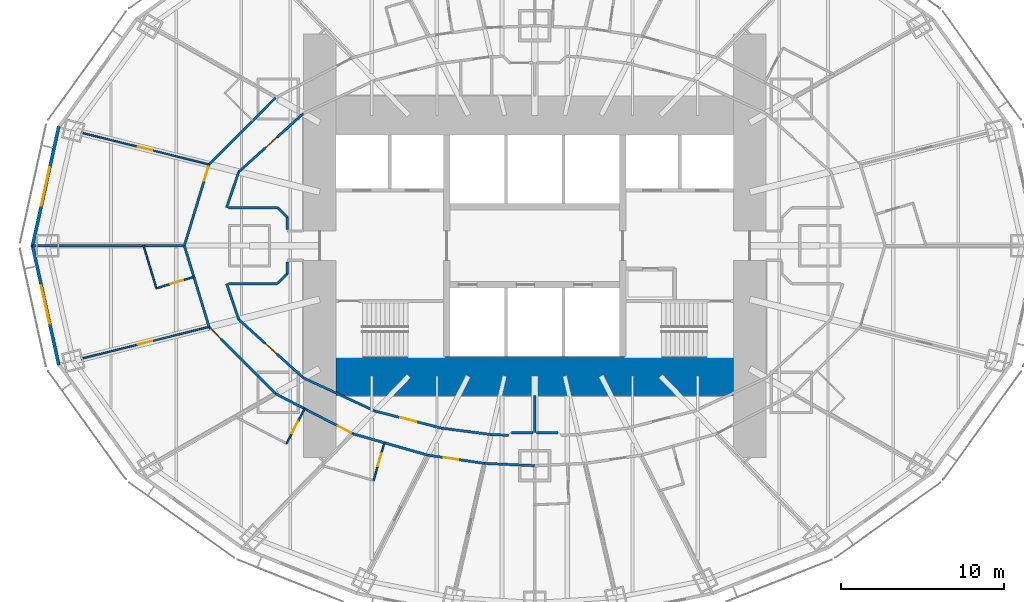
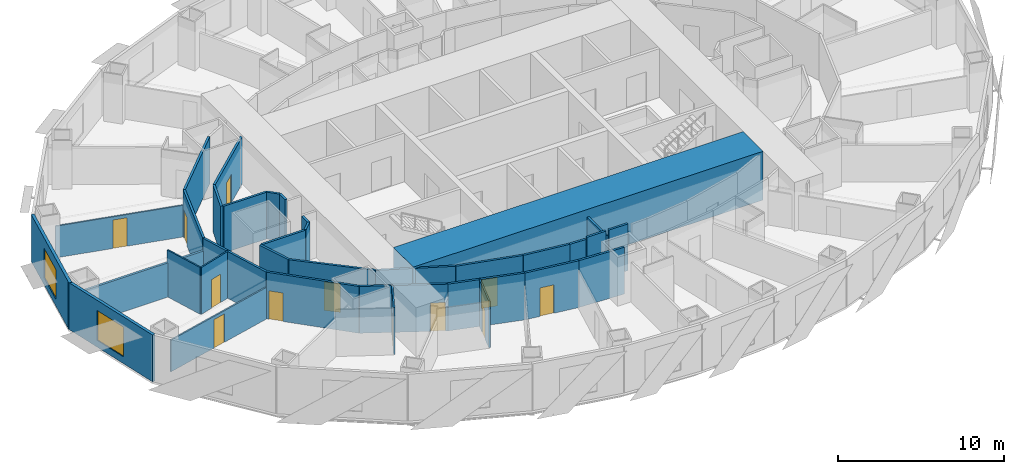
# One storey, part 5 of 15: 35 walls, 12 doors, 2 windows, 14 openings.
"""IFC4 building model written with IfcOpenShell, lengths in metres."""

import ifcopenshell
import ifcopenshell.guid

model = None  # the IFC model being written
_history = None  # IfcOwnerHistory: only IFC2X3 demands one
_inside = {}  # id of a spatial element -> (the spatial element, [elements in it])
_under = {}  # id of a project, library or spatial element -> (it, [spatial elements below it])
_declared = {}  # id of a project -> (the project, [libraries it declares])
_typed = {}  # id of a type object -> (the type object, [elements of that type])
_made_of = {}  # id of a material, layer set ... -> (it, [elements and type objects made of it])


def new_model(schema):
    """Start an empty IFC model of exactly this schema.

    Asked for "IFC4X3", IfcOpenShell would pick the latest addendum, in which some entities
    have other attributes; the version numbers below select the first issue.
    IFC2X3 requires an IfcOwnerHistory on every rooted entity: one is made here for all.
    """
    global model, _history
    if schema == "IFC4X3":
        model = ifcopenshell.file(schema_version=(4, 3, 0, 0))
    else:
        model = ifcopenshell.file(schema=schema)
    _inside.clear()
    _under.clear()
    _declared.clear()
    _typed.clear()
    _made_of.clear()
    _history = None
    if model.schema == "IFC2X3":
        org = make("IfcOrganization", Name="unknown")
        user = make(
            "IfcPersonAndOrganization",
            ThePerson=make("IfcPerson", FamilyName="unknown"),
            TheOrganization=org,
        )
        app = make(
            "IfcApplication",
            ApplicationDeveloper=org,
            Version="unknown",
            ApplicationFullName="unknown",
            ApplicationIdentifier="unknown",
        )
        _history = make(
            "IfcOwnerHistory",
            OwningUser=user,
            OwningApplication=app,
            ChangeAction="ADDED",
            CreationDate=0,
        )
    return model


def make(cls, **values):
    """One entity of the class cls with the attributes given. An attribute that is None is left unset."""
    return model.create_entity(
        cls, **{name: value for name, value in values.items() if value is not None}
    )


def rooted(cls, **values):
    """An entity with a GlobalId (a new one), such as an element, a storey or a relation."""
    return make(cls, GlobalId=ifcopenshell.guid.new(), OwnerHistory=_history, **values)


def si_unit(unit_type, name, prefix=None):
    """IfcSIUnit, for example si_unit("LENGTHUNIT", "METRE", prefix="MILLI")."""
    return make("IfcSIUnit", UnitType=unit_type, Prefix=prefix, Name=name)


def assignment(units):
    """IfcUnitAssignment: the units of a project."""
    return None if units is None else make("IfcUnitAssignment", Units=units)


def point(xyz):
    """IfcCartesianPoint."""
    return None if xyz is None else make("IfcCartesianPoint", Coordinates=xyz)


def direction(xyz):
    """IfcDirection."""
    return None if xyz is None else make("IfcDirection", DirectionRatios=xyz)


def frame(location, z_axis=None, x_axis=None):
    """IfcAxis2Placement3D, a coordinate frame: its origin and axes. An axis left out is left unset."""
    return make(
        "IfcAxis2Placement3D",
        Location=point(location),
        Axis=direction(z_axis),
        RefDirection=direction(x_axis),
    )


def frame_2d(location, x_axis=None):
    """IfcAxis2Placement2D, a coordinate frame in the plane: its origin and x axis."""
    return make(
        "IfcAxis2Placement2D", Location=point(location), RefDirection=direction(x_axis)
    )


def origin():
    """The frame at (0, 0, 0) with its axes left unset."""
    return frame((0.0, 0.0, 0.0))


def place(relative_to, where):
    """IfcLocalPlacement: puts the frame where relative to a parent placement (None: the world)."""
    return make(
        "IfcLocalPlacement", PlacementRelTo=relative_to, RelativePlacement=where
    )


def context(
    kind, dimensions, precision=None, world=None, true_north=None, identifier=None
):
    """IfcGeometricRepresentationContext, for example the 3D "Model" context."""
    return make(
        "IfcGeometricRepresentationContext",
        ContextIdentifier=identifier,
        ContextType=kind,
        CoordinateSpaceDimension=dimensions,
        Precision=precision,
        WorldCoordinateSystem=world,
        TrueNorth=true_north,
    )


def subcontext(parent, identifier, kind, view, scale=None):
    """IfcGeometricRepresentationSubContext, for example "Body" below "Model"."""
    return make(
        "IfcGeometricRepresentationSubContext",
        ContextIdentifier=identifier,
        ContextType=kind,
        ParentContext=parent,
        TargetScale=scale,
        TargetView=view,
    )


def project(units=None, contexts=None):
    """IfcProject with its units and contexts."""
    return rooted(
        "IfcProject",
        Name="project",
        RepresentationContexts=contexts,
        UnitsInContext=assignment(units),
    )


def spatial(cls, under=None, at=None, **own):
    """A site, building, storey or space (cls), placed at a placement, below another one or the project."""
    s = rooted(cls, ObjectPlacement=at, **own)
    if under is not None:
        _under.setdefault(under.id(), (under, []))[1].append(s)
    return s


def profile(cls, at=None, kind="AREA", **sizes):
    """A parametric profile (cls). Its sizes go by their IFC names, for example OverallWidth=200.0."""
    return make(cls, ProfileType=kind, Position=at, **sizes)


def rectangle(**sizes):
    """IfcRectangleProfileDef."""
    return profile("IfcRectangleProfileDef", **sizes)


def extrude(swept, where, along, depth):
    """IfcExtrudedAreaSolid: the profile swept, set in the frame where, extruded along a direction by depth."""
    return make(
        "IfcExtrudedAreaSolid",
        SweptArea=swept,
        Position=where,
        ExtrudedDirection=direction(along),
        Depth=depth,
    )


def shape(context_of_items, identifier, shape_type, items):
    """IfcShapeRepresentation: the items that make up one representation, for example the "Body"."""
    return make(
        "IfcShapeRepresentation",
        ContextOfItems=context_of_items,
        RepresentationIdentifier=identifier,
        RepresentationType=shape_type,
        Items=items,
    )


def material(Name=None, Category=None):
    """IfcMaterial."""
    return make("IfcMaterial", Name=Name, Category=Category)


def layer(
    of_material, thickness, ventilated=None, Name=None, Category=None, Priority=None
):
    """IfcMaterialLayer: one layer of a wall or slab, of a material (None: an air gap)."""
    return make(
        "IfcMaterialLayer",
        Material=of_material,
        LayerThickness=thickness,
        IsVentilated=ventilated,
        Name=Name,
        Category=Category,
        Priority=Priority,
    )


def layer_set(layers, Name=None):
    """IfcMaterialLayerSet."""
    return make("IfcMaterialLayerSet", MaterialLayers=layers, LayerSetName=Name)


def made_of(thing, what):
    """Note that an element or type object is made of a material, layer set ...; save() writes the relation."""
    if what is not None:
        _made_of.setdefault(what.id(), (what, []))[1].append(thing)
    return thing


def type_object(cls, material=None, **own):
    """A type object (cls), such as IfcWallType, which elements share."""
    return made_of(rooted(cls, **own), material)


def element(
    cls,
    number,
    at=None,
    inside=None,
    cuts=None,
    type_object=None,
    material=None,
    context=None,
    identifier="Body",
    shape_type=None,
    held_by="IfcProductDefinitionShape",
    body=None,
    shapes=None,
    **own,
):
    """One element of the class cls, such as IfcWall. Its Tag is "e" and its number.

    at: its placement. inside: the storey or other place that contains it. cuts: it is an
    opening in that element (IfcRelVoidsElement). A single representation is given by context,
    identifier, shape_type and body (its items); several are given by shapes. held_by: the class
    of the entity that holds the representations. save() writes the other relations.
    """
    e = rooted(cls, Tag="e%d" % number, ObjectPlacement=at, **own)
    if body is not None:
        shapes = [shape(context, identifier, shape_type, body)]
    if shapes is not None:
        e.Representation = make(held_by, Representations=shapes)
    if inside is not None:
        _inside.setdefault(inside.id(), (inside, []))[1].append(e)
    if cuts is not None:
        rooted(
            "IfcRelVoidsElement", RelatingBuildingElement=cuts, RelatedOpeningElement=e
        )
    if type_object is not None:
        _typed.setdefault(type_object.id(), (type_object, []))[1].append(e)
    return made_of(e, material)


def fill(opening, filler):
    """IfcRelFillsElement: the door or window that sits in an opening."""
    return rooted(
        "IfcRelFillsElement",
        RelatingOpeningElement=opening,
        RelatedBuildingElement=filler,
    )


def aggregate(whole, parts):
    """IfcRelAggregates: a whole, such as a stair, and the parts it consists of."""
    return rooted("IfcRelAggregates", RelatingObject=whole, RelatedObjects=parts)


def save(model, path):
    """Write the relations noted so far, then the file.

    IfcRelAggregates (storeys below a building ...), IfcRelContainedInSpatialStructure (elements
    in a storey), IfcRelDefinesByType, IfcRelAssociatesMaterial and IfcRelDeclares: one each for
    every whole, place, type object, material and project.
    """
    for whole, parts in _under.values():
        aggregate(whole, parts)
    for where, things in _inside.values():
        rooted(
            "IfcRelContainedInSpatialStructure",
            RelatedElements=things,
            RelatingStructure=where,
        )
    for kind, things in _typed.values():
        rooted("IfcRelDefinesByType", RelatedObjects=things, RelatingType=kind)
    for what, things in _made_of.values():
        rooted("IfcRelAssociatesMaterial", RelatedObjects=things, RelatingMaterial=what)
    for by, libraries in _declared.values():
        rooted("IfcRelDeclares", RelatingContext=by, RelatedDefinitions=libraries)
    model.write(path)


model = new_model("IFC4")

# Units and contexts
model_context = context("Model", 3, precision=1e-05, world=origin(), true_north=direction((0.0, 1.0)))
body_context = subcontext(model_context, "Body", "Model", "MODEL_VIEW")
ifc_project = project(units=[si_unit("LENGTHUNIT", "METRE"), si_unit("AREAUNIT", "SQUARE_METRE"), si_unit("VOLUMEUNIT", "CUBIC_METRE"), si_unit("PLANEANGLEUNIT", "RADIAN"), si_unit("MASSUNIT", "GRAM", prefix="KILO")], contexts=[model_context])

# Site, building, storey
site_placement = place(None, origin())
site = spatial("IfcSite", under=ifc_project, at=site_placement, CompositionType="ELEMENT")
building_placement = place(site_placement, origin())
building = spatial("IfcBuilding", under=site, at=building_placement, Name="Lantaw Convention Tower", CompositionType="ELEMENT")
storey_placement = place(building_placement, frame((0.0, 0.0, 47.800048828125)))
storey = spatial("IfcBuildingStorey", under=building, at=storey_placement, Name="L09", CompositionType="ELEMENT", Elevation=47.800048828125)

# Wall
ifc_material_1 = material(Name="Gypsum board on steel studs", Category="steel")
ifc_layer_1 = layer(ifc_material_1, 0.14990234375)
ifc_layer_set_1 = layer_set([ifc_layer_1], Name="Back of house wall 150")
wall_type_1 = type_object("IfcWallType", Name="Back of house wall 150", PredefinedType="PARTITIONING", material=ifc_layer_set_1)
wall_1_placement = place(storey_placement, frame((0.0, -9.199951171875, 0.0), z_axis=(0.0, 0.0, 1.0), x_axis=(0.0, -1.0, 0.0)))
element("IfcWall", 1, at=wall_1_placement, inside=storey, type_object=wall_type_1, Name="Back of house wall 150", PredefinedType="PARTITIONING", context=body_context, shape_type="SweptSolid", body=[
    extrude(rectangle(XDim=2.26513671875, YDim=0.14990234375, at=frame_2d((1.132568359375, 0.0))), origin(), (0.0, 0.0, 1.0), 3.04345703125),
])

# Wall, opening, door
ifc_material_2 = material(Name="Moisture resistant gypsum board on steel studs", Category="steel")
ifc_layer_2 = layer(ifc_material_2, 0.10009765625)
ifc_layer_set_2 = layer_set([ifc_layer_2], Name="Bathroom wall 100")
wall_type_2 = type_object("IfcWallType", Name="Bathroom wall 100", PredefinedType="PARTITIONING", material=ifc_layer_set_2)
wall_2_placement = place(storey_placement, frame((-20.917236328125, -1.9130859375, 0.0), z_axis=(0.0, 0.0, 1.0), x_axis=(-0.956591303063, -0.291432803411, 0.0)))
wall_2 = element("IfcWall", 2, at=wall_2_placement, inside=storey, type_object=wall_type_2, Name="Bathroom wall 100", PredefinedType="PARTITIONING", context=body_context, shape_type="SweptSolid", body=[
    extrude(rectangle(XDim=2.400146484375, YDim=0.10009765625, at=frame_2d((1.2001953125, 0.0))), origin(), (0.0, 0.0, 1.0), 3.449951171875),
])
opening_1_placement = place(wall_2_placement, frame((0.699951171875, 0.0, 0.0)))
opening_1 = element("IfcOpeningElement", 3, at=opening_1_placement, cuts=wall_2, Name="Opening L09.44", PredefinedType="OPENING", context=body_context, shape_type="SweptSolid", body=[
    extrude(rectangle(XDim=0.800048828125, YDim=2.10009765625, at=frame_2d((0.39990234375, 1.050048828125))), frame((0.0, 0.06005859375, 0.0), z_axis=(0.0, -1.0, 0.0), x_axis=(1.0, 0.0, 0.0)), (0.0, 0.0, 1.0), 0.1201171875),
])
ifc_material_3 = material(Name="Timber", Category="wood")
door_type_1 = type_object("IfcDoorType", Name="Bathroom door 800", OperationType="SINGLE_SWING_LEFT", PredefinedType="DOOR", material=ifc_material_3)
door_1_placement = place(opening_1_placement, origin())
door_1 = element("IfcDoor", 4, at=door_1_placement, inside=storey, type_object=door_type_1, Name="Bathroom door", OperationType="SINGLE_SWING_LEFT", OverallHeight=2.10009765625, OverallWidth=0.800048828125, PredefinedType="DOOR", context=body_context, shape_type="SweptSolid", body=[
    extrude(rectangle(XDim=0.800048828125, YDim=2.10009765625, at=frame_2d((0.39990234375, 1.050048828125))), frame((0.0, 0.02490234375, 0.0), z_axis=(0.0, -1.0, 0.0), x_axis=(1.0, 0.0, 0.0)), (0.0, 0.0, 1.0), 0.050048828125),
])
fill(opening_1, door_1)

# Wall
wall_3_placement = place(storey_placement, frame((-23.213134765625, -2.612548828125, 0.0), z_axis=(0.0, 0.0, 1.0), x_axis=(-0.291339473488, 0.956619731757, 0.0)))
element("IfcWall", 5, at=wall_3_placement, inside=storey, type_object=wall_type_2, Name="Bathroom wall 100", PredefinedType="PARTITIONING", context=body_context, shape_type="SweptSolid", body=[
    extrude(rectangle(XDim=2.73095703125, YDim=0.10009765625, at=frame_2d((1.365478515625, 0.0))), origin(), (0.0, 0.0, 1.0), 3.449951171875),
])

# Wall, opening, door
wall_4_placement = place(storey_placement, frame((-14.12451171875, -10.0048828125, 0.0), z_axis=(0.0, 0.0, 1.0), x_axis=(-0.459218106657, -0.888323550582, 0.0)))
wall_4 = element("IfcWall", 6, at=wall_4_placement, inside=storey, type_object=wall_type_2, Name="Bathroom wall 100", PredefinedType="PARTITIONING", context=body_context, shape_type="SweptSolid", body=[
    extrude(rectangle(XDim=2.39990234375, YDim=0.10009765625, at=frame_2d((1.199951171875, 0.0))), origin(), (0.0, 0.0, 1.0), 3.449951171875),
])
opening_2_placement = place(wall_4_placement, frame((0.89990234375, 0.0, 0.0)))
opening_2 = element("IfcOpeningElement", 7, at=opening_2_placement, cuts=wall_4, Name="Opening L09.47", PredefinedType="OPENING", context=body_context, shape_type="SweptSolid", body=[
    extrude(rectangle(XDim=0.800048828125, YDim=2.10009765625, at=frame_2d((0.39990234375, 1.050048828125))), frame((0.0, 0.06005859375, 0.0), z_axis=(0.0, -1.0, 0.0), x_axis=(1.0, 0.0, 0.0)), (0.0, 0.0, 1.0), 0.1201171875),
])
door_2_placement = place(opening_2_placement, origin())
door_2 = element("IfcDoor", 8, at=door_2_placement, inside=storey, type_object=door_type_1, Name="Bathroom door", OperationType="SINGLE_SWING_LEFT", OverallHeight=2.10009765625, OverallWidth=0.800048828125, PredefinedType="DOOR", context=body_context, shape_type="SweptSolid", body=[
    extrude(rectangle(XDim=0.800048828125, YDim=2.10009765625, at=frame_2d((0.39990234375, 1.050048828125))), frame((0.0, 0.02490234375, 0.0), z_axis=(0.0, -1.0, 0.0), x_axis=(1.0, 0.0, 0.0)), (0.0, 0.0, 1.0), 0.050048828125),
])
fill(opening_2, door_2)

wall_5_placement = place(storey_placement, frame((-9.224609375, -12.093505859375, 0.0), z_axis=(0.0, 0.0, 1.0), x_axis=(-0.274949510627, -0.961458666093, 0.0)))
wall_5 = element("IfcWall", 9, at=wall_5_placement, inside=storey, type_object=wall_type_2, Name="Bathroom wall 100", PredefinedType="PARTITIONING", context=body_context, shape_type="SweptSolid", body=[
    extrude(rectangle(XDim=2.400146484375, YDim=0.10009765625, at=frame_2d((1.2001953125, 0.0))), origin(), (0.0, 0.0, 1.0), 3.449951171875),
])
opening_3_placement = place(wall_5_placement, frame((0.699951171875, 0.0, 0.0)))
opening_3 = element("IfcOpeningElement", 10, at=opening_3_placement, cuts=wall_5, Name="Opening L09.49", PredefinedType="OPENING", context=body_context, shape_type="SweptSolid", body=[
    extrude(rectangle(XDim=0.800048828125, YDim=2.10009765625, at=frame_2d((0.39990234375, 1.050048828125))), frame((0.0, 0.06005859375, 0.0), z_axis=(0.0, -1.0, 0.0), x_axis=(1.0, 0.0, 0.0)), (0.0, 0.0, 1.0), 0.1201171875),
])
door_3_placement = place(opening_3_placement, origin())
door_3 = element("IfcDoor", 11, at=door_3_placement, inside=storey, type_object=door_type_1, Name="Bathroom door", OperationType="SINGLE_SWING_LEFT", OverallHeight=2.10009765625, OverallWidth=0.800048828125, PredefinedType="DOOR", context=body_context, shape_type="SweptSolid", body=[
    extrude(rectangle(XDim=0.800048828125, YDim=2.10009765625, at=frame_2d((0.39990234375, 1.050048828125))), frame((0.0, 0.02490234375, 0.0), z_axis=(0.0, -1.0, 0.0), x_axis=(1.0, 0.0, 0.0)), (0.0, 0.0, 1.0), 0.050048828125),
])
fill(opening_3, door_3)

# Walls
ifc_material_4 = material(Name="Concrete C60/75", Category="concrete")
ifc_layer_3 = layer(ifc_material_4, 2.39990234375)
ifc_layer_set_3 = layer_set([ifc_layer_3], Name="Core wall 2400")
wall_type_3 = type_object("IfcWallType", Name="Core wall 2400", PredefinedType="SHEAR", material=ifc_layer_set_3)
wall_6_placement = place(storey_placement, frame((-12.199951171875, -8.0, 0.0), z_axis=(0.0, 0.0, 1.0), x_axis=(1.0, 0.0, 0.0)))
element("IfcWall", 12, at=wall_6_placement, inside=storey, type_object=wall_type_3, Name="Core wall S", PredefinedType="SHEAR", context=body_context, shape_type="SweptSolid", body=[
    extrude(rectangle(XDim=24.39990234375, YDim=2.39990234375, at=frame_2d((12.199951171875, 0.0))), origin(), (0.0, 0.0, 1.0), 3.599853515625),
])
ifc_material_5 = material(Name="Gypsum board on steel studs, fire rated", Category="steel")
ifc_layer_4 = layer(ifc_material_5, 0.14990234375)
ifc_layer_set_4 = layer_set([ifc_layer_4], Name="Corridor wall 150 EI 60")
wall_type_4 = type_object("IfcWallType", Name="Corridor wall 150 EI 60", PredefinedType="PARTITIONING", material=ifc_layer_set_4)
wall_7_placement = place(storey_placement, frame((-15.901123046875, 9.08642578125, 0.0), z_axis=(0.0, 0.0, 1.0), x_axis=(-0.705121546414, -0.709086457904, 0.0)))
element("IfcWall", 13, at=wall_7_placement, inside=storey, type_object=wall_type_4, Name="Corridor wall 150", PredefinedType="PARTITIONING", context=body_context, shape_type="SweptSolid", body=[
    extrude(rectangle(XDim=5.7880859375, YDim=0.14990234375, at=frame_2d((2.89404296875, 0.0))), origin(), (0.0, 0.0, 1.0), 3.449951171875),
])

# Wall, opening, door
wall_8_placement = place(storey_placement, frame((-19.982421875, 4.982177734375, 0.0), z_axis=(0.0, 0.0, 1.0), x_axis=(-0.291383581394, -0.95660629754, 0.0)))
wall_8 = element("IfcWall", 14, at=wall_8_placement, inside=storey, type_object=wall_type_4, Name="Corridor wall 150", PredefinedType="PARTITIONING", context=body_context, shape_type="SweptSolid", body=[
    extrude(rectangle(XDim=5.208251953125, YDim=0.14990234375, at=frame_2d((2.60400390625, 0.0))), origin(), (0.0, 0.0, 1.0), 3.449951171875),
])
opening_4_placement = place(wall_8_placement, frame((0.14990234375, 0.0, 0.0)))
opening_4 = element("IfcOpeningElement", 15, at=opening_4_placement, cuts=wall_8, Name="Opening L09.43", PredefinedType="OPENING", context=body_context, shape_type="SweptSolid", body=[
    extrude(rectangle(XDim=0.89990234375, YDim=2.10009765625, at=frame_2d((0.449951171875, 1.050048828125))), frame((0.0, 0.0849609375, 0.0), z_axis=(0.0, -1.0, 0.0), x_axis=(1.0, 0.0, 0.0)), (0.0, 0.0, 1.0), 0.169921875),
])
ifc_material_6 = material(Name="Steel, fire rated", Category="steel")
door_type_2 = type_object("IfcDoorType", Name="Guest room entrance door FD30S", OperationType="SINGLE_SWING_LEFT", PredefinedType="DOOR", material=ifc_material_6)
door_4_placement = place(opening_4_placement, origin())
door_4 = element("IfcDoor", 16, at=door_4_placement, inside=storey, type_object=door_type_2, Name="Suite entrance door", OperationType="SINGLE_SWING_LEFT", OverallHeight=2.10009765625, OverallWidth=0.89990234375, PredefinedType="DOOR", context=body_context, shape_type="SweptSolid", body=[
    extrude(rectangle(XDim=0.89990234375, YDim=2.10009765625, at=frame_2d((0.449951171875, 1.050048828125))), frame((0.0, 0.02490234375, 0.0), z_axis=(0.0, -1.0, 0.0), x_axis=(1.0, 0.0, 0.0)), (0.0, 0.0, 1.0), 0.050048828125),
])
fill(opening_4, door_4)

# Wall
wall_9_placement = place(storey_placement, frame((-21.5, 0.0, 0.0), z_axis=(0.0, 0.0, 1.0), x_axis=(0.291383581394, -0.95660629754, 0.0)))
element("IfcWall", 17, at=wall_9_placement, inside=storey, type_object=wall_type_4, Name="Corridor wall 150", PredefinedType="PARTITIONING", context=body_context, shape_type="SweptSolid", body=[
    extrude(rectangle(XDim=5.208251953125, YDim=0.14990234375, at=frame_2d((2.60400390625, 0.0))), origin(), (0.0, 0.0, 1.0), 3.449951171875),
])

# Wall, opening, door
wall_10_placement = place(storey_placement, frame((-19.982421875, -4.982177734375, 0.0), z_axis=(0.0, 0.0, 1.0), x_axis=(0.705121546414, -0.709086457904, 0.0)))
wall_10 = element("IfcWall", 18, at=wall_10_placement, inside=storey, type_object=wall_type_4, Name="Corridor wall 150", PredefinedType="PARTITIONING", context=body_context, shape_type="SweptSolid", body=[
    extrude(rectangle(XDim=5.7880859375, YDim=0.14990234375, at=frame_2d((2.89404296875, 0.0))), origin(), (0.0, 0.0, 1.0), 3.449951171875),
])
opening_5_placement = place(wall_10_placement, frame((0.14990234375, 0.0, 0.0)))
opening_5 = element("IfcOpeningElement", 19, at=opening_5_placement, cuts=wall_10, Name="Opening L09.46", PredefinedType="OPENING", context=body_context, shape_type="SweptSolid", body=[
    extrude(rectangle(XDim=0.89990234375, YDim=2.10009765625, at=frame_2d((0.449951171875, 1.050048828125))), frame((0.0, 0.0849609375, 0.0), z_axis=(0.0, -1.0, 0.0), x_axis=(1.0, 0.0, 0.0)), (0.0, 0.0, 1.0), 0.169921875),
])
door_5_placement = place(opening_5_placement, origin())
door_5 = element("IfcDoor", 20, at=door_5_placement, inside=storey, type_object=door_type_2, Name="Suite entrance door", OperationType="SINGLE_SWING_LEFT", OverallHeight=2.10009765625, OverallWidth=0.89990234375, PredefinedType="DOOR", context=body_context, shape_type="SweptSolid", body=[
    extrude(rectangle(XDim=0.89990234375, YDim=2.10009765625, at=frame_2d((0.449951171875, 1.050048828125))), frame((0.0, 0.02490234375, 0.0), z_axis=(0.0, -1.0, 0.0), x_axis=(1.0, 0.0, 0.0)), (0.0, 0.0, 1.0), 0.050048828125),
])
fill(opening_5, door_5)

wall_11_placement = place(storey_placement, frame((-15.901123046875, -9.08642578125, 0.0), z_axis=(0.0, 0.0, 1.0), x_axis=(0.888333171507, -0.459199495209, 0.0)))
wall_11 = element("IfcWall", 21, at=wall_11_placement, inside=storey, type_object=wall_type_4, Name="Corridor wall 150", PredefinedType="PARTITIONING", context=body_context, shape_type="SweptSolid", body=[
    extrude(rectangle(XDim=5.351318359375, YDim=0.14990234375, at=frame_2d((2.67578125, 0.0))), origin(), (0.0, 0.0, 1.0), 3.449951171875),
])
opening_6_placement = place(wall_11_placement, frame((4.301025390625, 0.0, 0.0)))
opening_6 = element("IfcOpeningElement", 22, at=opening_6_placement, cuts=wall_11, Name="Opening L09.48", PredefinedType="OPENING", context=body_context, shape_type="SweptSolid", body=[
    extrude(rectangle(XDim=0.89990234375, YDim=2.10009765625, at=frame_2d((0.449951171875, 1.050048828125))), frame((0.0, 0.0849609375, 0.0), z_axis=(0.0, -1.0, 0.0), x_axis=(1.0, 0.0, 0.0)), (0.0, 0.0, 1.0), 0.169921875),
])
door_6_placement = place(opening_6_placement, origin())
door_6 = element("IfcDoor", 23, at=door_6_placement, inside=storey, type_object=door_type_2, Name="Guest room entrance door", OperationType="SINGLE_SWING_LEFT", OverallHeight=2.10009765625, OverallWidth=0.89990234375, PredefinedType="DOOR", context=body_context, shape_type="SweptSolid", body=[
    extrude(rectangle(XDim=0.89990234375, YDim=2.10009765625, at=frame_2d((0.449951171875, 1.050048828125))), frame((0.0, 0.02490234375, 0.0), z_axis=(0.0, -1.0, 0.0), x_axis=(1.0, 0.0, 0.0)), (0.0, 0.0, 1.0), 0.050048828125),
])
fill(opening_6, door_6)

# Wall
wall_12_placement = place(storey_placement, frame((-11.1474609375, -11.543701171875, 0.0), z_axis=(0.0, 0.0, 1.0), x_axis=(0.961464178199, -0.27493023486, 0.0)))
element("IfcWall", 24, at=wall_12_placement, inside=storey, type_object=wall_type_4, Name="Corridor wall 150", PredefinedType="PARTITIONING", context=body_context, shape_type="SweptSolid", body=[
    extrude(rectangle(XDim=4.7802734375, YDim=0.14990234375, at=frame_2d((2.39013671875, 0.0))), origin(), (0.0, 0.0, 1.0), 3.449951171875),
])

# Wall, opening, door
wall_13_placement = place(storey_placement, frame((-6.551513671875, -12.85791015625, 0.0), z_axis=(0.0, 0.0, 1.0), x_axis=(0.989661745886, -0.143421158583, 0.0)))
wall_13 = element("IfcWall", 25, at=wall_13_placement, inside=storey, type_object=wall_type_4, Name="Corridor wall 150", PredefinedType="PARTITIONING", context=body_context, shape_type="SweptSolid", body=[
    extrude(rectangle(XDim=3.503173828125, YDim=0.14990234375, at=frame_2d((1.75146484375, 0.0))), origin(), (0.0, 0.0, 1.0), 3.449951171875),
])
opening_7_placement = place(wall_13_placement, frame((0.987548828125, 0.0, 0.0)))
opening_7 = element("IfcOpeningElement", 26, at=opening_7_placement, cuts=wall_13, Name="Opening L09.52", PredefinedType="OPENING", context=body_context, shape_type="SweptSolid", body=[
    extrude(rectangle(XDim=0.89990234375, YDim=2.10009765625, at=frame_2d((0.449951171875, 1.050048828125))), frame((0.0, 0.0849609375, 0.0), z_axis=(0.0, -1.0, 0.0), x_axis=(1.0, 0.0, 0.0)), (0.0, 0.0, 1.0), 0.169921875),
])
door_7_placement = place(opening_7_placement, origin())
door_7 = element("IfcDoor", 27, at=door_7_placement, inside=storey, type_object=door_type_2, Name="Suite entrance door", OperationType="SINGLE_SWING_LEFT", OverallHeight=2.10009765625, OverallWidth=0.89990234375, PredefinedType="DOOR", context=body_context, shape_type="SweptSolid", body=[
    extrude(rectangle(XDim=0.89990234375, YDim=2.10009765625, at=frame_2d((0.449951171875, 1.050048828125))), frame((0.0, 0.02490234375, 0.0), z_axis=(0.0, -1.0, 0.0), x_axis=(1.0, 0.0, 0.0)), (0.0, 0.0, 1.0), 0.050048828125),
])
fill(opening_7, door_7)

# Wall
wall_14_placement = place(storey_placement, frame((-3.08447265625, -13.3603515625, 0.0), z_axis=(0.0, 0.0, 1.0), x_axis=(0.998976675711, -0.045228325036, 0.0)))
element("IfcWall", 28, at=wall_14_placement, inside=storey, type_object=wall_type_4, Name="Corridor wall 150", PredefinedType="PARTITIONING", context=body_context, shape_type="SweptSolid", body=[
    extrude(rectangle(XDim=3.087646484375, YDim=0.14990234375, at=frame_2d((1.5439453125, 0.0))), origin(), (0.0, 0.0, 1.0), 3.449951171875),
])

# Wall, opening, door
wall_15_placement = place(storey_placement, frame((-14.196044921875, 8.112060546875, 0.0), z_axis=(0.0, 0.0, 1.0), x_axis=(-0.742194222, -0.670184852731, 0.0)))
wall_15 = element("IfcWall", 29, at=wall_15_placement, inside=storey, type_object=wall_type_4, Name="Corridor wall 150", PredefinedType="PARTITIONING", context=body_context, shape_type="SweptSolid", body=[
    extrude(rectangle(XDim=5.3466796875, YDim=0.14990234375, at=frame_2d((2.67333984375, 0.0))), origin(), (0.0, 0.0, 1.0), 3.449951171875),
])
opening_8_placement = place(wall_15_placement, frame((2.17333984375, 0.0, 0.0)))
opening_8 = element("IfcOpeningElement", 30, at=opening_8_placement, cuts=wall_15, Name="Opening L09.17", PredefinedType="OPENING", context=body_context, shape_type="SweptSolid", body=[
    extrude(rectangle(XDim=1.0, YDim=2.10009765625, at=frame_2d((0.5, 1.050048828125))), frame((0.0, 0.0849609375, 0.0), z_axis=(0.0, -1.0, 0.0), x_axis=(1.0, 0.0, 0.0)), (0.0, 0.0, 1.0), 0.169921875),
])
door_type_3 = type_object("IfcDoorType", Name="Service door 1000 FD30", OperationType="SINGLE_SWING_LEFT", PredefinedType="DOOR", material=ifc_material_6)
door_8_placement = place(opening_8_placement, origin())
door_8 = element("IfcDoor", 31, at=door_8_placement, inside=storey, type_object=door_type_3, Name="Housekeeping room door", OperationType="SINGLE_SWING_LEFT", OverallHeight=2.10009765625, OverallWidth=1.0, PredefinedType="DOOR", context=body_context, shape_type="SweptSolid", body=[
    extrude(rectangle(XDim=1.0, YDim=2.10009765625, at=frame_2d((0.5, 1.050048828125))), frame((0.0, 0.02490234375, 0.0), z_axis=(0.0, -1.0, 0.0), x_axis=(1.0, 0.0, 0.0)), (0.0, 0.0, 1.0), 0.050048828125),
])
fill(opening_8, door_8)

wall_16_placement = place(storey_placement, frame((-18.164306640625, -4.52880859375, 0.0), z_axis=(0.0, 0.0, 1.0), x_axis=(0.742194222, -0.670184852731, 0.0)))
wall_16 = element("IfcWall", 32, at=wall_16_placement, inside=storey, type_object=wall_type_4, Name="Corridor wall 150", PredefinedType="PARTITIONING", context=body_context, shape_type="SweptSolid", body=[
    extrude(rectangle(XDim=5.3466796875, YDim=0.14990234375, at=frame_2d((2.67333984375, 0.0))), origin(), (0.0, 0.0, 1.0), 3.449951171875),
])
opening_9_placement = place(wall_16_placement, frame((2.17333984375, 0.0, 0.0)))
opening_9 = element("IfcOpeningElement", 33, at=opening_9_placement, cuts=wall_16, Name="Opening L09.21", PredefinedType="OPENING", context=body_context, shape_type="SweptSolid", body=[
    extrude(rectangle(XDim=1.0, YDim=2.10009765625, at=frame_2d((0.5, 1.050048828125))), frame((0.0, 0.0849609375, 0.0), z_axis=(0.0, -1.0, 0.0), x_axis=(1.0, 0.0, 0.0)), (0.0, 0.0, 1.0), 0.169921875),
])
door_9_placement = place(opening_9_placement, origin())
door_9 = element("IfcDoor", 34, at=door_9_placement, inside=storey, type_object=door_type_3, Name="Staff room door", OperationType="SINGLE_SWING_LEFT", OverallHeight=2.10009765625, OverallWidth=1.0, PredefinedType="DOOR", context=body_context, shape_type="SweptSolid", body=[
    extrude(rectangle(XDim=1.0, YDim=2.10009765625, at=frame_2d((0.5, 1.050048828125))), frame((0.0, 0.02490234375, 0.0), z_axis=(0.0, -1.0, 0.0), x_axis=(1.0, 0.0, 0.0)), (0.0, 0.0, 1.0), 0.050048828125),
])
fill(opening_9, door_9)

# Wall
wall_17_placement = place(storey_placement, frame((-14.196044921875, -8.112060546875, 0.0), z_axis=(0.0, 0.0, 1.0), x_axis=(0.907279653965, -0.420527798727, 0.0)))
element("IfcWall", 35, at=wall_17_placement, inside=storey, type_object=wall_type_4, Name="Corridor wall 150", PredefinedType="PARTITIONING", context=body_context, shape_type="SweptSolid", body=[
    extrude(rectangle(XDim=4.84423828125, YDim=0.14990234375, at=frame_2d((2.422119140625, 0.0))), origin(), (0.0, 0.0, 1.0), 3.449951171875),
])

# Wall, opening, door
wall_18_placement = place(storey_placement, frame((-9.801025390625, -10.149169921875, 0.0), z_axis=(0.0, 0.0, 1.0), x_axis=(0.968705891355, -0.248211393886, 0.0)))
wall_18 = element("IfcWall", 36, at=wall_18_placement, inside=storey, type_object=wall_type_4, Name="Corridor wall 150", PredefinedType="PARTITIONING", context=body_context, shape_type="SweptSolid", body=[
    extrude(rectangle(XDim=4.2275390625, YDim=0.14990234375, at=frame_2d((2.11376953125, 0.0))), origin(), (0.0, 0.0, 1.0), 3.449951171875),
])
opening_10_placement = place(wall_18_placement, frame((1.61376953125, 0.0, 0.0)))
opening_10 = element("IfcOpeningElement", 37, at=opening_10_placement, cuts=wall_18, Name="Opening L09.22", PredefinedType="OPENING", context=body_context, shape_type="SweptSolid", body=[
    extrude(rectangle(XDim=1.0, YDim=2.10009765625, at=frame_2d((0.5, 1.050048828125))), frame((0.0, 0.0849609375, 0.0), z_axis=(0.0, -1.0, 0.0), x_axis=(1.0, 0.0, 0.0)), (0.0, 0.0, 1.0), 0.169921875),
])
door_10_placement = place(opening_10_placement, origin())
door_10 = element("IfcDoor", 38, at=door_10_placement, inside=storey, type_object=door_type_3, Name="Staff room door", OperationType="SINGLE_SWING_LEFT", OverallHeight=2.10009765625, OverallWidth=1.0, PredefinedType="DOOR", context=body_context, shape_type="SweptSolid", body=[
    extrude(rectangle(XDim=1.0, YDim=2.10009765625, at=frame_2d((0.5, 1.050048828125))), frame((0.0, 0.02490234375, 0.0), z_axis=(0.0, -1.0, 0.0), x_axis=(1.0, 0.0, 0.0)), (0.0, 0.0, 1.0), 0.050048828125),
])
fill(opening_10, door_10)

# Walls
wall_19_placement = place(storey_placement, frame((-5.705810546875, -11.198486328125, 0.0), z_axis=(0.0, 0.0, 1.0), x_axis=(0.99168929531, -0.128655903743, 0.0)))
element("IfcWall", 39, at=wall_19_placement, inside=storey, type_object=wall_type_4, Name="Corridor wall 150", PredefinedType="PARTITIONING", context=body_context, shape_type="SweptSolid", body=[
    extrude(rectangle(XDim=3.05517578125, YDim=0.14990234375, at=frame_2d((1.527587890625, 0.0))), origin(), (0.0, 0.0, 1.0), 3.449951171875),
])
for number, where, z_axis, x_axis, name in (
    (40, (-18.164306640625, 4.52880859375, 0.0), (0.0, 0.0, 1.0), (-0.321124194945, -0.947037090837, 0.0), "Corridor wall 150"),
    (41, (-18.908203125, -2.3349609375, 0.0), (0.0, 0.0, 1.0), (0.321124194945, -0.947037090837, 0.0), "Corridor wall 150"),
):
    element("IfcWall", number, at=place(storey_placement, frame(where, z_axis=z_axis, x_axis=x_axis)), inside=storey, type_object=wall_type_4, Name=name, PredefinedType="PARTITIONING", context=body_context, shape_type="SweptSolid", body=[
        extrude(rectangle(XDim=2.316650390625, YDim=0.14990234375, at=frame_2d((1.158203125, 0.0))), origin(), (0.0, 0.0, 1.0), 3.449951171875),
    ])
wall_20_placement = place(storey_placement, frame((-18.80078125, 2.324951171875, 0.0), z_axis=(0.0, 0.0, 1.0), x_axis=(1.0, 0.0, 0.0)))
element("IfcWall", 42, at=wall_20_placement, inside=storey, type_object=wall_type_4, Name="Corridor wall 150", PredefinedType="PARTITIONING", context=body_context, shape_type="SweptSolid", body=[
    extrude(rectangle(XDim=3.025390625, YDim=0.14990234375, at=frame_2d((1.5126953125, 0.0))), origin(), (0.0, 0.0, 1.0), 3.449951171875),
])
wall_21_placement = place(storey_placement, frame((-15.775390625, 2.324951171875, 0.0), z_axis=(0.0, 0.0, 1.0), x_axis=(0.707106781187, -0.707106781187, 0.0)))
element("IfcWall", 43, at=wall_21_placement, inside=storey, type_object=wall_type_4, Name="Corridor wall 150", PredefinedType="PARTITIONING", context=body_context, shape_type="SweptSolid", body=[
    extrude(rectangle(XDim=0.84912109375, YDim=0.14990234375, at=frame_2d((0.424560546875, 0.0))), origin(), (0.0, 0.0, 1.0), 3.449951171875),
])
for number, where, z_axis, x_axis, name in (
    (44, (-15.175048828125, 1.724609375, 0.0), (0.0, 0.0, 1.0), (0.0, -1.0, 0.0), "Corridor wall 150"),
    (45, (-15.175048828125, -1.003173828125, 0.0), (0.0, 0.0, 1.0), (0.0, -1.0, 0.0), "Corridor wall 150"),
):
    element("IfcWall", number, at=place(storey_placement, frame(where, z_axis=z_axis, x_axis=x_axis)), inside=storey, type_object=wall_type_4, Name=name, PredefinedType="PARTITIONING", context=body_context, shape_type="SweptSolid", body=[
        extrude(rectangle(XDim=0.721435546875, YDim=0.14990234375, at=frame_2d((0.36083984375, 0.0))), origin(), (0.0, 0.0, 1.0), 3.449951171875),
    ])
wall_22_placement = place(storey_placement, frame((-15.175048828125, -1.724609375, 0.0), z_axis=(0.0, 0.0, 1.0), x_axis=(-0.707106781187, -0.707106781187, 0.0)))
element("IfcWall", 46, at=wall_22_placement, inside=storey, type_object=wall_type_4, Name="Corridor wall 150", PredefinedType="PARTITIONING", context=body_context, shape_type="SweptSolid", body=[
    extrude(rectangle(XDim=0.84912109375, YDim=0.14990234375, at=frame_2d((0.424560546875, 0.0))), origin(), (0.0, 0.0, 1.0), 3.449951171875),
])
wall_23_placement = place(storey_placement, frame((-15.775390625, -2.324951171875, 0.0), z_axis=(0.0, 0.0, 1.0), x_axis=(-1.0, 0.0, 0.0)))
element("IfcWall", 47, at=wall_23_placement, inside=storey, type_object=wall_type_4, Name="Corridor wall 150", PredefinedType="PARTITIONING", context=body_context, shape_type="SweptSolid", body=[
    extrude(rectangle(XDim=3.025390625, YDim=0.14990234375, at=frame_2d((1.5126953125, 0.0))), origin(), (0.0, 0.0, 1.0), 3.449951171875),
])
wall_24_placement = place(storey_placement, frame((-2.676025390625, -11.591552734375, 0.0), z_axis=(0.0, 0.0, 1.0), x_axis=(0.999178004727, -0.040537820228, 0.0)))
element("IfcWall", 48, at=wall_24_placement, inside=storey, type_object=wall_type_4, Name="Corridor wall 150", PredefinedType="PARTITIONING", context=body_context, shape_type="SweptSolid", body=[
    extrude(rectangle(XDim=1.078125, YDim=0.14990234375, at=frame_2d((0.5390625, 0.0))), origin(), (0.0, 0.0, 1.0), 3.449951171875),
])
for number, where, z_axis, x_axis, name in (
    (49, (-1.424560546875, -11.47509765625, 0.0), (0.0, 0.0, 1.0), (1.0, 0.0, 0.0), "Corridor wall 150"),
    (50, (0.103271484375, -11.47509765625, 0.0), (0.0, 0.0, 1.0), (1.0, 0.0, 0.0), "Corridor wall 150"),
):
    element("IfcWall", number, at=place(storey_placement, frame(where, z_axis=z_axis, x_axis=x_axis)), inside=storey, type_object=wall_type_4, Name=name, PredefinedType="PARTITIONING", context=body_context, shape_type="SweptSolid", body=[
        extrude(rectangle(XDim=1.3212890625, YDim=0.14990234375, at=frame_2d((0.66064453125, 0.0))), origin(), (0.0, 0.0, 1.0), 3.449951171875),
    ])

# Wall, opening, window
ifc_material_7 = material(Name="Insulated aluminium panel on steel frame", Category="steel")
ifc_layer_5 = layer(ifc_material_7, 0.199951171875)
ifc_layer_set_5 = layer_set([ifc_layer_5], Name="External wall 200")
wall_type_5 = type_object("IfcWallType", Name="External wall 200", PredefinedType="SOLIDWALL", material=ifc_layer_set_5)
wall_25_placement = place(storey_placement, frame((-29.207763671875, 7.318115234375, 0.0), z_axis=(0.0, 0.0, 1.0), x_axis=(-0.215238065514, -0.976561608478, 0.0)))
wall_25 = element("IfcWall", 51, at=wall_25_placement, inside=storey, type_object=wall_type_5, Name="Facade panel wall", PredefinedType="SOLIDWALL", context=body_context, shape_type="SweptSolid", body=[
    extrude(rectangle(XDim=7.562255859375, YDim=0.199951171875, at=frame_2d((3.78125, 0.0))), origin(), (0.0, 0.0, 1.0), 3.449951171875),
])
opening_11_placement = place(wall_25_placement, frame((2.581298828125, 0.0, 0.5)))
opening_11 = element("IfcOpeningElement", 52, at=opening_11_placement, cuts=wall_25, Name="Opening W1", PredefinedType="OPENING", context=body_context, shape_type="SweptSolid", body=[
    extrude(rectangle(XDim=2.39990234375, YDim=2.199951171875, at=frame_2d((1.199951171875, 1.10009765625))), frame((0.0, 0.10986328125, 0.0), z_axis=(0.0, -1.0, 0.0), x_axis=(1.0, 0.0, 0.0)), (0.0, 0.0, 1.0), 0.219970703125),
])
ifc_material_8 = material(Name="Aluminium frame, clear insulating glass", Category="aluminium")
window_type = type_object("IfcWindowType", Name="Guest room window 2400x2200", PartitioningType="SINGLE_PANEL", PredefinedType="WINDOW", material=ifc_material_8)
window_1_placement = place(opening_11_placement, origin())
window_1 = element("IfcWindow", 53, at=window_1_placement, inside=storey, type_object=window_type, Name="Guest room window", OverallHeight=2.199951171875, OverallWidth=2.39990234375, PartitioningType="SINGLE_PANEL", PredefinedType="WINDOW", context=body_context, shape_type="SweptSolid", body=[
    extrude(rectangle(XDim=2.39990234375, YDim=2.199951171875, at=frame_2d((1.199951171875, 1.10009765625))), frame((0.0, 0.030029296875, 0.0), z_axis=(0.0, -1.0, 0.0), x_axis=(1.0, 0.0, 0.0)), (0.0, 0.0, 1.0), 0.06005859375),
])
fill(opening_11, window_1)

wall_26_placement = place(storey_placement, frame((-30.83544921875, 0.06689453125, 0.0), z_axis=(0.0, 0.0, 1.0), x_axis=(0.215238065514, -0.976561608478, 0.0)))
wall_26 = element("IfcWall", 54, at=wall_26_placement, inside=storey, type_object=wall_type_5, Name="Facade panel wall", PredefinedType="SOLIDWALL", context=body_context, shape_type="SweptSolid", body=[
    extrude(rectangle(XDim=7.562255859375, YDim=0.199951171875, at=frame_2d((3.78125, 0.0))), origin(), (0.0, 0.0, 1.0), 3.449951171875),
])
opening_12_placement = place(wall_26_placement, frame((2.581298828125, 0.0, 0.5)))
opening_12 = element("IfcOpeningElement", 55, at=opening_12_placement, cuts=wall_26, Name="Opening W1", PredefinedType="OPENING", context=body_context, shape_type="SweptSolid", body=[
    extrude(rectangle(XDim=2.39990234375, YDim=2.199951171875, at=frame_2d((1.199951171875, 1.10009765625))), frame((0.0, 0.10986328125, 0.0), z_axis=(0.0, -1.0, 0.0), x_axis=(1.0, 0.0, 0.0)), (0.0, 0.0, 1.0), 0.219970703125),
])
window_2_placement = place(opening_12_placement, origin())
window_2 = element("IfcWindow", 56, at=window_2_placement, inside=storey, type_object=window_type, Name="Guest room window", OverallHeight=2.199951171875, OverallWidth=2.39990234375, PartitioningType="SINGLE_PANEL", PredefinedType="WINDOW", context=body_context, shape_type="SweptSolid", body=[
    extrude(rectangle(XDim=2.39990234375, YDim=2.199951171875, at=frame_2d((1.199951171875, 1.10009765625))), frame((0.0, 0.030029296875, 0.0), z_axis=(0.0, -1.0, 0.0), x_axis=(1.0, 0.0, 0.0)), (0.0, 0.0, 1.0), 0.06005859375),
])
fill(opening_12, window_2)

# Wall
ifc_material_9 = material(Name="Gypsum board on steel studs, acoustic", Category="steel")
ifc_layer_6 = layer(ifc_material_9, 0.14990234375)
ifc_layer_set_6 = layer_set([ifc_layer_6], Name="Guest room party wall 150")
wall_type_6 = type_object("IfcWallType", Name="Guest room party wall 150", PredefinedType="PARTITIONING", material=ifc_layer_set_6)
wall_27_placement = place(storey_placement, frame((-30.82080078125, 0.0, 0.0), z_axis=(0.0, 0.0, 1.0), x_axis=(1.0, 0.0, 0.0)))
element("IfcWall", 57, at=wall_27_placement, inside=storey, type_object=wall_type_6, Name="Guest room party wall 150", PredefinedType="PARTITIONING", context=body_context, shape_type="SweptSolid", body=[
    extrude(rectangle(XDim=9.32080078125, YDim=0.14990234375, at=frame_2d((4.660400390625, 0.0))), origin(), (0.0, 0.0, 1.0), 2.52783203125),
])

# Wall, opening, door
ifc_layer_7 = layer(ifc_material_1, 0.10009765625)
ifc_layer_set_7 = layer_set([ifc_layer_7], Name="Suite partition 100")
wall_type_7 = type_object("IfcWallType", Name="Suite partition 100", PredefinedType="PARTITIONING", material=ifc_layer_set_7)
wall_28_placement = place(storey_placement, frame((-27.832763671875, 6.939453125, 0.0), z_axis=(0.0, 0.0, 1.0), x_axis=(0.97029673161, -0.24191786339, 0.0)))
wall_28 = element("IfcWall", 58, at=wall_28_placement, inside=storey, type_object=wall_type_7, Name="Suite partition 100", PredefinedType="PARTITIONING", context=body_context, shape_type="SweptSolid", body=[
    extrude(rectangle(XDim=8.090576171875, YDim=0.10009765625, at=frame_2d((4.04541015625, 0.0))), origin(), (0.0, 0.0, 1.0), 2.332275390625),
])
opening_13_placement = place(wall_28_placement, frame((3.59521484375, 0.0, 0.0)))
opening_13 = element("IfcOpeningElement", 59, at=opening_13_placement, cuts=wall_28, Name="Opening L09.42", PredefinedType="OPENING", context=body_context, shape_type="SweptSolid", body=[
    extrude(rectangle(XDim=0.89990234375, YDim=2.10009765625, at=frame_2d((0.449951171875, 1.050048828125))), frame((0.0, 0.06005859375, 0.0), z_axis=(0.0, -1.0, 0.0), x_axis=(1.0, 0.0, 0.0)), (0.0, 0.0, 1.0), 0.1201171875),
])
door_type_4 = type_object("IfcDoorType", Name="Suite door 900", OperationType="SINGLE_SWING_LEFT", PredefinedType="DOOR", material=ifc_material_3)
door_11_placement = place(opening_13_placement, origin())
door_11 = element("IfcDoor", 60, at=door_11_placement, inside=storey, type_object=door_type_4, Name="Bedroom door", OperationType="SINGLE_SWING_LEFT", OverallHeight=2.10009765625, OverallWidth=0.89990234375, PredefinedType="DOOR", context=body_context, shape_type="SweptSolid", body=[
    extrude(rectangle(XDim=0.89990234375, YDim=2.10009765625, at=frame_2d((0.449951171875, 1.050048828125))), frame((0.0, 0.02490234375, 0.0), z_axis=(0.0, -1.0, 0.0), x_axis=(1.0, 0.0, 0.0)), (0.0, 0.0, 1.0), 0.050048828125),
])
fill(opening_13, door_11)

wall_29_placement = place(storey_placement, frame((-27.832763671875, -6.939453125, 0.0), z_axis=(0.0, 0.0, 1.0), x_axis=(0.97029673161, 0.24191786339, 0.0)))
wall_29 = element("IfcWall", 61, at=wall_29_placement, inside=storey, type_object=wall_type_7, Name="Suite partition 100", PredefinedType="PARTITIONING", context=body_context, shape_type="SweptSolid", body=[
    extrude(rectangle(XDim=8.090576171875, YDim=0.10009765625, at=frame_2d((4.04541015625, 0.0))), origin(), (0.0, 0.0, 1.0), 2.332275390625),
])
opening_14_placement = place(wall_29_placement, frame((3.59521484375, 0.0, 0.0)))
opening_14 = element("IfcOpeningElement", 62, at=opening_14_placement, cuts=wall_29, Name="Opening L09.45", PredefinedType="OPENING", context=body_context, shape_type="SweptSolid", body=[
    extrude(rectangle(XDim=0.89990234375, YDim=2.10009765625, at=frame_2d((0.449951171875, 1.050048828125))), frame((0.0, 0.06005859375, 0.0), z_axis=(0.0, -1.0, 0.0), x_axis=(1.0, 0.0, 0.0)), (0.0, 0.0, 1.0), 0.1201171875),
])
door_12_placement = place(opening_14_placement, origin())
door_12 = element("IfcDoor", 63, at=door_12_placement, inside=storey, type_object=door_type_4, Name="Bedroom door", OperationType="SINGLE_SWING_LEFT", OverallHeight=2.10009765625, OverallWidth=0.89990234375, PredefinedType="DOOR", context=body_context, shape_type="SweptSolid", body=[
    extrude(rectangle(XDim=0.89990234375, YDim=2.10009765625, at=frame_2d((0.449951171875, 1.050048828125))), frame((0.0, 0.02490234375, 0.0), z_axis=(0.0, -1.0, 0.0), x_axis=(1.0, 0.0, 0.0)), (0.0, 0.0, 1.0), 0.050048828125),
])
fill(opening_14, door_12)

save(model, "model.ifc")
